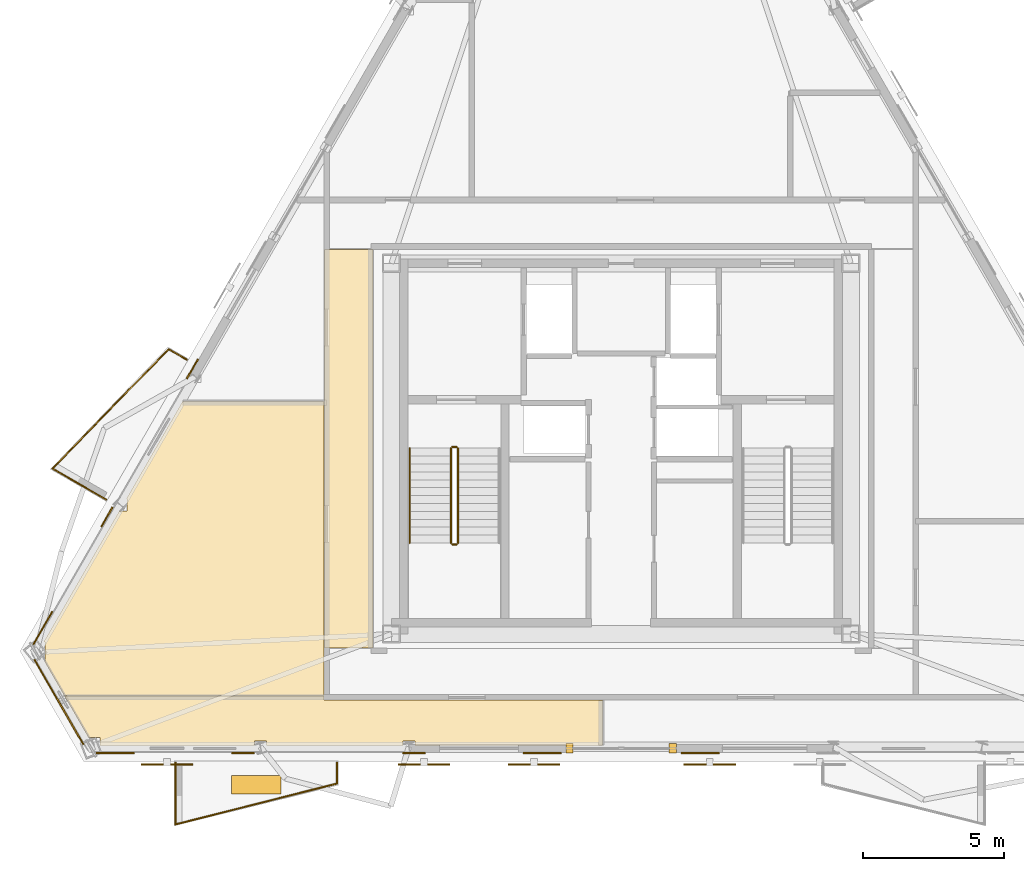
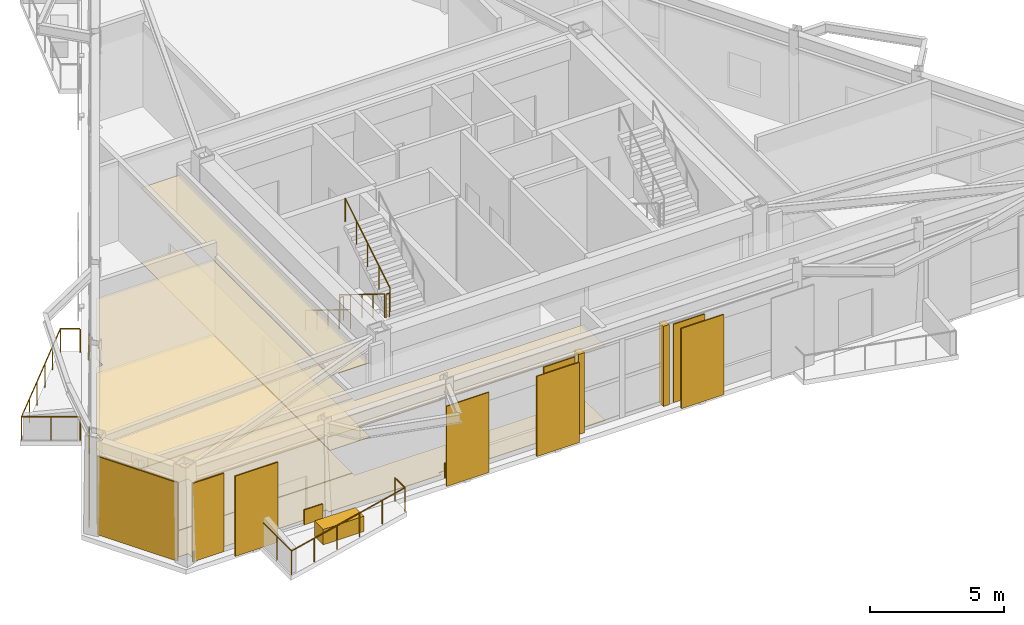
# One storey, part 13 of 16: 18 coverings, 11 railings, 4 shading devices.
"""IFC4 building model written with IfcOpenShell, lengths in metres."""

from ifc_helpers import new_model, si_unit, direction, frame, origin, origin_2d, place, context, subcontext, project, spatial, polyline, rectangle, circle, outline, extrude, material, layer, layer_set, type_object, element, save


model = new_model("IFC4")

# Units and contexts
model_context = context("Model", 3, precision=1e-05, world=origin(), true_north=direction((0.0, 1.0)))
body_context = subcontext(model_context, "Body", "Model", "MODEL_VIEW")
ifc_project = project(units=[si_unit("LENGTHUNIT", "METRE"), si_unit("AREAUNIT", "SQUARE_METRE"), si_unit("VOLUMEUNIT", "CUBIC_METRE"), si_unit("PLANEANGLEUNIT", "RADIAN"), si_unit("MASSUNIT", "GRAM", prefix="KILO")], contexts=[model_context])

# Site, building, storey
site_placement = place(None, origin())
site = spatial("IfcSite", under=ifc_project, at=site_placement, CompositionType="ELEMENT")
building_placement = place(site_placement, origin())
building = spatial("IfcBuilding", under=site, at=building_placement, Name="Oramaril Tower", CompositionType="ELEMENT")
storey_placement = place(building_placement, frame((0.0, 0.0, 296.699951171875)))
storey = spatial("IfcBuildingStorey", under=building, at=storey_placement, Name="L78", CompositionType="ELEMENT", Elevation=296.699951171875)

# Coverings
ifc_material_1 = material(Name="Mineral Fibre Acoustic Ceiling")
ifc_layer_1 = layer(ifc_material_1, 0.02001953125)
ifc_layer_set_1 = layer_set([ifc_layer_1], Name="CVT-CEIL")
covering_type_1 = type_object("IfcCoveringType", Name="CVT-CEIL", PredefinedType="CEILING", material=ifc_layer_set_1)
covering_1_placement = place(storey_placement, frame((0.0, 0.0, 3.412109375)))
element("IfcCovering", 1, at=covering_1_placement, inside=storey, type_object=covering_type_1, Name="L78 Acoustic Suspended Ceiling 3", PredefinedType="CEILING", context=body_context, shape_type="SweptSolid", body=[
    extrude(outline(polyline([(28.699951171875, 10.5), (26.969970703125, 10.5), (26.969970703125, 24.64990234375), (28.699951171875, 24.64990234375), (28.699951171875, 10.5)])), origin(), (0.0, 0.0, 1.0), 0.02001953125),
])
covering_2_placement = place(storey_placement, frame((0.0, 0.0, 3.412109375)))
element("IfcCovering", 2, at=covering_2_placement, inside=storey, type_object=covering_type_1, Name="L78 Acoustic Suspended Ceiling 5", PredefinedType="CEILING", context=body_context, shape_type="SweptSolid", body=[
    extrude(outline(polyline([(36.842041015625, 7.04931640625), (30.18359375, 7.04931640625), (30.18359375, 7.2041015625), (29.761962890625, 7.2041015625), (29.761962890625, 7.04931640625), (24.917724609375, 7.04931640625), (24.917724609375, 7.2041015625), (24.489990234375, 7.2041015625), (24.489990234375, 7.04931640625), (19.012939453125, 7.04931640625), (19.012939453125, 7.317626953125), (18.600341796875, 7.317626953125), (17.7490234375, 8.7919921875), (26.949951171875, 8.7919921875), (26.949951171875, 8.669921875), (26.9501953125, 8.66796875), (26.950439453125, 8.666015625), (26.950927734375, 8.664306640625), (26.951416015625, 8.662353515625), (26.952392578125, 8.66064453125), (26.953369140625, 8.658935546875), (26.95458984375, 8.6572265625), (26.955810546875, 8.656005859375), (26.957275390625, 8.654541015625), (26.958984375, 8.6533203125), (26.960693359375, 8.65234375), (26.96240234375, 8.651611328125), (26.964111328125, 8.65087890625), (26.966064453125, 8.650390625), (26.968017578125, 8.650146484375), (26.969970703125, 8.64990234375), (36.842041015625, 8.64990234375), (36.842041015625, 7.04931640625)])), origin(), (0.0, 0.0, 1.0), 0.02001953125),
])
covering_3_placement = place(storey_placement, frame((0.0, 0.0, 3.412109375)))
element("IfcCovering", 3, at=covering_3_placement, inside=storey, type_object=covering_type_1, Name="L78 Acoustic Suspended Ceiling 7", PredefinedType="CEILING", context=body_context, shape_type="SweptSolid", body=[
    extrude(outline(polyline([(17.037353515625, 10.02490234375), (17.05859375, 10.02490234375), (17.05859375, 10.7119140625), (17.01025390625, 10.7119140625), (19.69189453125, 15.3564453125), (19.957763671875, 15.3564453125), (19.957763671875, 15.810302734375), (19.953857421875, 15.810302734375), (21.93505859375, 19.241943359375), (26.949951171875, 19.241943359375), (26.949951171875, 10.5), (26.9501953125, 10.498046875), (26.950439453125, 10.49609375), (26.950927734375, 10.494140625), (26.951416015625, 10.4921875), (26.952392578125, 10.490478515625), (26.95263671875, 10.489990234375), (26.952392578125, 10.489501953125), (26.951416015625, 10.48779296875), (26.950927734375, 10.48583984375), (26.950439453125, 10.48388671875), (26.9501953125, 10.48193359375), (26.949951171875, 10.47998046875), (26.949951171875, 8.81201171875), (17.7490234375, 8.81201171875), (17.7470703125, 8.81201171875), (17.7451171875, 8.8115234375), (17.7431640625, 8.81103515625), (17.741455078125, 8.810302734375), (17.739501953125, 8.8095703125), (17.7392578125, 8.809326171875), (17.037353515625, 10.02490234375)])), origin(), (0.0, 0.0, 1.0), 0.02001953125),
])
ifc_material_2 = material(Name="Warm Cream Limestone", Category="masonry")
ifc_layer_2 = layer(ifc_material_2, 0.050048828125)
ifc_layer_set_2 = layer_set([ifc_layer_2], Name="CVT-CLD")
covering_type_2 = type_object("IfcCoveringType", Name="CVT-CLD", PredefinedType="CLADDING", material=ifc_layer_set_2)
covering_4_placement = place(storey_placement, frame((17.551513671875, 8.582763671875, 0.0400390625), z_axis=(0.0, 0.0, 1.0), x_axis=(0.499990930976, -0.866030639725, 0.0)))
element("IfcCovering", 4, at=covering_4_placement, inside=storey, type_object=covering_type_2, Name="L78 Warm Cream Limestone Cladding", PredefinedType="CLADDING", context=body_context, shape_type="SweptSolid", body=[
    extrude(rectangle(XDim=3.484375, YDim=0.050048828125, at=origin_2d()), origin(), (0.0, 0.0, 1.0), 3.577880859375),
])
for number, where, z_axis, x_axis, name in (
    (5, (35.669921875, 6.94140625, 0.0), (0.0, 0.0, 1.0), (1.0, 0.0, 0.0), "L78 Curtain Wall Limestone Jamb Closure"),
    (6, (39.330078125, 6.94140625, 0.0), (0.0, 0.0, 1.0), (1.0, 0.0, 0.0), "L78 Curtain Wall Limestone Jamb Closure"),
):
    element("IfcCovering", number, at=place(storey_placement, frame(where, z_axis=z_axis, x_axis=x_axis)), inside=storey, type_object=covering_type_2, Name=name, PredefinedType="CLADDING", context=body_context, shape_type="SweptSolid", body=[
        extrude(rectangle(XDim=0.260009765625, YDim=0.340087890625, at=origin_2d()), origin(), (0.0, 0.0, 1.0), 3.657958984375),
    ])
for number, where, z_axis, x_axis, name in (
    (7, (19.54296875, 6.7734375, 0.0400390625), (0.0, 0.0, 1.0), (1.0, 0.0, 0.0), "L78 Warm Cream Limestone Cladding"),
    (8, (34.699951171875, 6.7734375, 0.0400390625), (0.0, 0.0, 1.0), (1.0, 0.0, 0.0), "L78 Warm Cream Limestone Cladding"),
):
    element("IfcCovering", number, at=place(storey_placement, frame(where, z_axis=z_axis, x_axis=x_axis)), inside=storey, type_object=covering_type_2, Name=name, PredefinedType="CLADDING", context=body_context, shape_type="SweptSolid", body=[
        extrude(rectangle(XDim=1.35009765625, YDim=0.050048828125, at=origin_2d()), origin(), (0.0, 0.0, 1.0), 3.577880859375),
    ])
for number, where, z_axis, x_axis, name in (
    (9, (24.087158203125, 6.7734375, 0.0400390625), (0.0, 0.0, 1.0), (1.0, 0.0, 0.0), "L78 Warm Cream Limestone Spandrel Cladding"),
    (10, (30.15576171875, 6.7734375, 0.0400390625), (0.0, 0.0, 1.0), (1.0, 0.0, 0.0), "L78 Warm Cream Limestone Spandrel Cladding"),
):
    element("IfcCovering", number, at=place(storey_placement, frame(where, z_axis=z_axis, x_axis=x_axis)), inside=storey, type_object=covering_type_2, Name=name, PredefinedType="CLADDING", context=body_context, shape_type="SweptSolid", body=[
        extrude(rectangle(XDim=0.800048828125, YDim=0.050048828125, at=origin_2d()), origin(), (0.0, 0.0, 1.0), 0.679931640625),
    ])
for number, where, z_axis, x_axis, name in (
    (11, (40.300048828125, 6.7734375, 0.0400390625), (0.0, 0.0, 1.0), (1.0, 0.0, 0.0), "L78 Warm Cream Limestone Cladding"),
    (12, (16.980224609375, 11.2119140625, 0.0400390625), (0.0, 0.0, 1.0), (-0.5, -0.866025403784, 0.0), "L78 Warm Cream Limestone Cladding"),
):
    element("IfcCovering", number, at=place(storey_placement, frame(where, z_axis=z_axis, x_axis=x_axis)), inside=storey, type_object=covering_type_2, Name=name, PredefinedType="CLADDING", context=body_context, shape_type="SweptSolid", body=[
        extrude(rectangle(XDim=1.35009765625, YDim=0.050048828125, at=origin_2d()), origin(), (0.0, 0.0, 1.0), 3.577880859375),
    ])
for number, where, z_axis, x_axis, name in (
    (13, (22.286865234375, 20.403076171875, 0.0400390625), (0.0, 0.0, 1.0), (-0.5, -0.866025403784, 0.0), "L78 Warm Cream Limestone Spandrel Cladding"),
    (14, (19.25244140625, 15.1474609375, 0.0400390625), (0.0, 0.0, 1.0), (-0.5, -0.866025403784, 0.0), "L78 Warm Cream Limestone Spandrel Cladding"),
):
    element("IfcCovering", number, at=place(storey_placement, frame(where, z_axis=z_axis, x_axis=x_axis)), inside=storey, type_object=covering_type_2, Name=name, PredefinedType="CLADDING", context=body_context, shape_type="SweptSolid", body=[
        extrude(rectangle(XDim=0.800048828125, YDim=0.050048828125, at=origin_2d()), origin(), (0.0, 0.0, 1.0), 0.679931640625),
    ])
covering_5_placement = place(storey_placement, frame((24.55224609375, 5.64501953125, 0.0), z_axis=(0.0, 0.0, 1.0), x_axis=(1.0, 0.0, 0.0)))
element("IfcCovering", 15, at=covering_5_placement, inside=storey, type_object=covering_type_2, Name="L78 Structural Tree Planter Box L78-BAL-S1", PredefinedType="CLADDING", context=body_context, shape_type="SweptSolid", body=[
    extrude(rectangle(XDim=1.75, YDim=0.64990234375, at=origin_2d()), origin(), (0.0, 0.0, 1.0), 0.699951171875),
])
ifc_material_3 = material(Name="Honed Quartzite Stone Flooring", Category="masonry")
ifc_layer_3 = layer(ifc_material_3, 0.02490234375)
ifc_layer_set_3 = layer_set([ifc_layer_3], Name="CVT-FLR")
covering_type_3 = type_object("IfcCoveringType", Name="CVT-FLR", PredefinedType="FLOORING", material=ifc_layer_set_3)
covering_6_placement = place(storey_placement, origin())
element("IfcCovering", 16, at=covering_6_placement, inside=storey, type_object=covering_type_3, Name="L78 Honed Stone Floor Finish 3", PredefinedType="FLOORING", context=body_context, shape_type="SweptSolid", body=[
    extrude(outline(polyline([(28.699951171875, 10.5), (26.969970703125, 10.5), (26.969970703125, 24.64990234375), (28.699951171875, 24.64990234375), (28.699951171875, 10.5)])), origin(), (0.0, 0.0, 1.0), 0.025146484375),
])
covering_7_placement = place(storey_placement, origin())
element("IfcCovering", 17, at=covering_7_placement, inside=storey, type_object=covering_type_3, Name="L78 Honed Stone Floor Finish 5", PredefinedType="FLOORING", context=body_context, shape_type="SweptSolid", body=[
    extrude(outline(polyline([(36.842041015625, 7.04931640625), (30.18359375, 7.04931640625), (30.18359375, 7.2041015625), (29.761962890625, 7.2041015625), (29.761962890625, 7.04931640625), (24.917724609375, 7.04931640625), (24.917724609375, 7.2041015625), (24.489990234375, 7.2041015625), (24.489990234375, 7.04931640625), (19.012939453125, 7.04931640625), (19.012939453125, 7.317626953125), (18.600341796875, 7.317626953125), (17.7490234375, 8.7919921875), (26.949951171875, 8.7919921875), (26.949951171875, 8.669921875), (26.9501953125, 8.66796875), (26.950439453125, 8.666015625), (26.950927734375, 8.664306640625), (26.951416015625, 8.662353515625), (26.952392578125, 8.66064453125), (26.953369140625, 8.658935546875), (26.95458984375, 8.6572265625), (26.955810546875, 8.656005859375), (26.957275390625, 8.654541015625), (26.958984375, 8.6533203125), (26.960693359375, 8.65234375), (26.96240234375, 8.651611328125), (26.964111328125, 8.65087890625), (26.966064453125, 8.650390625), (26.968017578125, 8.650146484375), (26.969970703125, 8.64990234375), (36.842041015625, 8.64990234375), (36.842041015625, 7.04931640625)])), origin(), (0.0, 0.0, 1.0), 0.025146484375),
])
covering_8_placement = place(storey_placement, origin())
element("IfcCovering", 18, at=covering_8_placement, inside=storey, type_object=covering_type_3, Name="L78 Honed Stone Floor Finish 7", PredefinedType="FLOORING", context=body_context, shape_type="SweptSolid", body=[
    extrude(outline(polyline([(17.037353515625, 10.02490234375), (17.05859375, 10.02490234375), (17.05859375, 10.7119140625), (17.01025390625, 10.7119140625), (19.69189453125, 15.3564453125), (19.957763671875, 15.3564453125), (19.957763671875, 15.810302734375), (19.953857421875, 15.810302734375), (21.93505859375, 19.241943359375), (26.949951171875, 19.241943359375), (26.949951171875, 10.5), (26.9501953125, 10.498046875), (26.950439453125, 10.49609375), (26.950927734375, 10.494140625), (26.951416015625, 10.4921875), (26.952392578125, 10.490478515625), (26.95263671875, 10.489990234375), (26.952392578125, 10.489501953125), (26.951416015625, 10.48779296875), (26.950927734375, 10.48583984375), (26.950439453125, 10.48388671875), (26.9501953125, 10.48193359375), (26.949951171875, 10.47998046875), (26.949951171875, 8.81201171875), (17.7490234375, 8.81201171875), (17.7470703125, 8.81201171875), (17.7451171875, 8.8115234375), (17.7431640625, 8.81103515625), (17.741455078125, 8.810302734375), (17.739501953125, 8.8095703125), (17.7392578125, 8.809326171875), (17.037353515625, 10.02490234375)])), origin(), (0.0, 0.0, 1.0), 0.025146484375),
])

# Railings
ifc_material_4 = material(Name="Stainless Steel 316L", Category="steel")
railing_type_1 = type_object("IfcRailingType", Name="RLT-GRD", PredefinedType="GUARDRAIL", material=ifc_material_4)
railing_1_placement = place(storey_placement, frame((27.417236328125, 6.433349609375, 0.0)))
element("IfcRailing", 19, at=railing_1_placement, inside=storey, type_object=railing_type_1, Name="L78 Balcony Guardrail L78-BAL-S1.1", PredefinedType="GUARDRAIL", context=body_context, shape_type="SweptSolid", body=[
    extrude(circle(Radius=0.02392578125, at=origin_2d()), frame((0.0, 0.0, 1.076171875), z_axis=(0.0, -1.0, 0.0), x_axis=(1.0, 0.0, 0.0)), (0.0, 0.0, 1.0), 0.741943359375),
    extrude(circle(Radius=0.02099609375, at=origin_2d()), origin(), (0.0, 0.0, 1.0), 1.052001953125),
    extrude(circle(Radius=0.02099609375, at=origin_2d()), frame((0.0, -0.741943359375, 0.0)), (0.0, 0.0, 1.0), 1.052001953125),
])
railing_2_placement = place(storey_placement, frame((27.417236328125, 5.69140625, 0.0)))
element("IfcRailing", 20, at=railing_2_placement, inside=storey, type_object=railing_type_1, Name="L78 Balcony Guardrail L78-BAL-S1.2", PredefinedType="GUARDRAIL", context=body_context, shape_type="SweptSolid", body=[
    extrude(circle(Radius=0.02392578125, at=origin_2d()), frame((0.0, 0.0, 1.076171875), z_axis=(-0.969443611257, -0.245314256807, 0.0), x_axis=(0.245314256807, -0.969443611257, 0.0)), (0.0, 0.0, 1.0), 5.91064453125),
    extrude(circle(Radius=0.02099609375, at=origin_2d()), origin(), (0.0, 0.0, 1.0), 1.052001953125),
    extrude(circle(Radius=0.02099609375, at=origin_2d()), frame((-1.14599609375, -0.2900390625, 0.0)), (0.0, 0.0, 1.0), 1.052001953125),
    extrude(circle(Radius=0.02099609375, at=origin_2d()), frame((-2.2919921875, -0.580078125, 0.0)), (0.0, 0.0, 1.0), 1.052001953125),
    extrude(circle(Radius=0.02099609375, at=origin_2d()), frame((-3.43798828125, -0.869873046875, 0.0)), (0.0, 0.0, 1.0), 1.052001953125),
    extrude(circle(Radius=0.02099609375, at=origin_2d()), frame((-4.583984375, -1.159912109375, 0.0)), (0.0, 0.0, 1.0), 1.052001953125),
    extrude(circle(Radius=0.02099609375, at=origin_2d()), frame((-5.72998046875, -1.449951171875, 0.0)), (0.0, 0.0, 1.0), 1.052001953125),
])
railing_3_placement = place(storey_placement, frame((21.687255859375, 4.241455078125, 0.0)))
element("IfcRailing", 21, at=railing_3_placement, inside=storey, type_object=railing_type_1, Name="L78 Balcony Guardrail L78-BAL-S1.3", PredefinedType="GUARDRAIL", context=body_context, shape_type="SweptSolid", body=[
    extrude(circle(Radius=0.02392578125, at=origin_2d()), frame((0.0, 0.0, 1.076171875), z_axis=(0.0, 1.0, 0.0), x_axis=(-1.0, 0.0, 0.0)), (0.0, 0.0, 1.0), 2.19189453125),
    extrude(circle(Radius=0.02099609375, at=origin_2d()), origin(), (0.0, 0.0, 1.0), 1.052001953125),
    extrude(circle(Radius=0.02099609375, at=origin_2d()), frame((0.0, 1.095947265625, 0.0)), (0.0, 0.0, 1.0), 1.052001953125),
    extrude(circle(Radius=0.02099609375, at=origin_2d()), frame((0.0, 2.19189453125, 0.0)), (0.0, 0.0, 1.0), 1.052001953125),
])
railing_4_placement = place(storey_placement, frame((19.220458984375, 15.772216796875, 0.0)))
element("IfcRailing", 22, at=railing_4_placement, inside=storey, type_object=railing_type_1, Name="L78 Balcony Guardrail L78-BAL-NW2.1", PredefinedType="GUARDRAIL", context=body_context, shape_type="SweptSolid", body=[
    extrude(circle(Radius=0.02392578125, at=origin_2d()), frame((0.0, 0.0, 1.076171875), z_axis=(-0.865972267571, 0.50009202333, 0.0), x_axis=(-0.50009202333, -0.865972267571, 0.0)), (0.0, 0.0, 1.0), 2.19189453125),
    extrude(circle(Radius=0.02099609375, at=origin_2d()), origin(), (0.0, 0.0, 1.0), 1.052001953125),
    extrude(circle(Radius=0.02099609375, at=origin_2d()), frame((-0.94921875, 0.548095703125, 0.0)), (0.0, 0.0, 1.0), 1.052001953125),
    extrude(circle(Radius=0.02099609375, at=origin_2d()), frame((-1.898193359375, 1.09619140625, 0.0)), (0.0, 0.0, 1.0), 1.052001953125),
])
railing_5_placement = place(storey_placement, frame((17.322265625, 16.868408203125, 0.0)))
element("IfcRailing", 23, at=railing_5_placement, inside=storey, type_object=railing_type_1, Name="L78 Balcony Guardrail L78-BAL-NW2.2", PredefinedType="GUARDRAIL", context=body_context, shape_type="SweptSolid", body=[
    extrude(circle(Radius=0.02392578125, at=origin_2d()), frame((0.0, 0.0, 1.076171875), z_axis=(0.697186915353, 0.716889395277, 0.0), x_axis=(-0.716889395277, 0.697186915353, 0.0)), (0.0, 0.0, 1.0), 5.91064453125),
    extrude(circle(Radius=0.02099609375, at=origin_2d()), origin(), (0.0, 0.0, 1.0), 1.052001953125),
    extrude(circle(Radius=0.02099609375, at=origin_2d()), frame((0.82421875, 0.847412109375, 0.0)), (0.0, 0.0, 1.0), 1.052001953125),
    extrude(circle(Radius=0.02099609375, at=origin_2d()), frame((1.6484375, 1.69482421875, 0.0)), (0.0, 0.0, 1.0), 1.052001953125),
    extrude(circle(Radius=0.02099609375, at=origin_2d()), frame((2.472412109375, 2.54248046875, 0.0)), (0.0, 0.0, 1.0), 1.052001953125),
    extrude(circle(Radius=0.02099609375, at=origin_2d()), frame((3.296630859375, 3.389892578125, 0.0)), (0.0, 0.0, 1.0), 1.052001953125),
    extrude(circle(Radius=0.02099609375, at=origin_2d()), frame((4.120849609375, 4.2373046875, 0.0)), (0.0, 0.0, 1.0), 1.052001953125),
])
railing_6_placement = place(storey_placement, frame((21.443115234375, 21.105712890625, 0.0)))
element("IfcRailing", 24, at=railing_6_placement, inside=storey, type_object=railing_type_1, Name="L78 Balcony Guardrail L78-BAL-NW2.3", PredefinedType="GUARDRAIL", context=body_context, shape_type="SweptSolid", body=[
    extrude(circle(Radius=0.02392578125, at=origin_2d()), frame((0.0, 0.0, 1.076171875), z_axis=(0.865884080729, -0.500244698863, 0.0), x_axis=(0.500244698863, 0.865884080729, 0.0)), (0.0, 0.0, 1.0), 0.741943359375),
    extrude(circle(Radius=0.02099609375, at=origin_2d()), origin(), (0.0, 0.0, 1.0), 1.052001953125),
    extrude(circle(Radius=0.02099609375, at=origin_2d()), frame((0.642333984375, -0.37109375, 0.0)), (0.0, 0.0, 1.0), 1.052001953125),
])
railing_7_placement = place(storey_placement, frame((31.4599609375, 17.590087890625, 0.173095703125)))
element("IfcRailing", 25, at=railing_7_placement, inside=storey, type_object=railing_type_1, Name="L78 ST-1 stair guard 1", PredefinedType="GUARDRAIL", context=body_context, shape_type="SweptSolid", body=[
    extrude(circle(Radius=0.02392578125, at=origin_2d()), frame((0.0, 0.0, 1.076171875), z_axis=(0.0, -0.850623216509, 0.525775754039), x_axis=(1.0, 0.0, 0.0)), (0.0, 0.0, 1.0), 3.9501953125),
    extrude(circle(Radius=0.02099609375, at=origin_2d()), origin(), (0.0, 0.0, 1.0), 1.052001953125),
    extrude(circle(Radius=0.02099609375, at=origin_2d()), frame((0.0, -0.840087890625, 0.519287109375)), (0.0, 0.0, 1.0), 1.052001953125),
    extrude(circle(Radius=0.02099609375, at=origin_2d()), frame((0.0, -1.68017578125, 1.03857421875)), (0.0, 0.0, 1.0), 1.052001953125),
    extrude(circle(Radius=0.02099609375, at=origin_2d()), frame((0.0, -2.52001953125, 1.5576171875)), (0.0, 0.0, 1.0), 1.052001953125),
    extrude(circle(Radius=0.02099609375, at=origin_2d()), frame((0.0, -3.360107421875, 2.076904296875)), (0.0, 0.0, 1.0), 1.052001953125),
])
railing_8_placement = place(storey_placement, frame((31.510009765625, 14.179931640625, 2.25)))
element("IfcRailing", 26, at=railing_8_placement, inside=storey, type_object=railing_type_1, Name="L78 ST-1 stair guard 2", PredefinedType="GUARDRAIL", context=body_context, shape_type="SweptSolid", body=[
    extrude(circle(Radius=0.02392578125, at=origin_2d()), frame((0.0, 0.0, 1.076171875), z_axis=(1.0, 0.0, 0.0), x_axis=(0.0, 1.0, 0.0)), (0.0, 0.0, 1.0), 0.14990234375),
    extrude(circle(Radius=0.02099609375, at=origin_2d()), origin(), (0.0, 0.0, 1.0), 1.052001953125),
    extrude(circle(Radius=0.02099609375, at=origin_2d()), frame((0.14990234375, 0.0, 0.0)), (0.0, 0.0, 1.0), 1.052001953125),
])
railing_9_placement = place(storey_placement, frame((31.7099609375, 14.22998046875, 2.423095703125)))
element("IfcRailing", 27, at=railing_9_placement, inside=storey, type_object=railing_type_1, Name="L78 ST-1 stair guard 3", PredefinedType="GUARDRAIL", context=body_context, shape_type="SweptSolid", body=[
    extrude(circle(Radius=0.02392578125, at=origin_2d()), frame((0.0, 0.0, 1.076171875), z_axis=(0.0, 0.850623216509, 0.525775754039), x_axis=(-1.0, 0.0, 0.0)), (0.0, 0.0, 1.0), 3.9501953125),
    extrude(circle(Radius=0.02099609375, at=origin_2d()), origin(), (0.0, 0.0, 1.0), 1.052001953125),
    extrude(circle(Radius=0.02099609375, at=origin_2d()), frame((0.0, 0.840087890625, 0.519287109375)), (0.0, 0.0, 1.0), 1.052001953125),
    extrude(circle(Radius=0.02099609375, at=origin_2d()), frame((0.0, 1.68017578125, 1.03857421875)), (0.0, 0.0, 1.0), 1.052001953125),
    extrude(circle(Radius=0.02099609375, at=origin_2d()), frame((0.0, 2.52001953125, 1.5576171875)), (0.0, 0.0, 1.0), 1.052001953125),
    extrude(circle(Radius=0.02099609375, at=origin_2d()), frame((0.0, 3.360107421875, 2.076904296875)), (0.0, 0.0, 1.0), 1.052001953125),
])
railing_10_placement = place(storey_placement, frame((31.510009765625, 17.639892578125, 0.0)))
element("IfcRailing", 28, at=railing_10_placement, inside=storey, type_object=railing_type_1, Name="L78 ST-1 stair guard 4", PredefinedType="GUARDRAIL", context=body_context, shape_type="SweptSolid", body=[
    extrude(circle(Radius=0.02392578125, at=origin_2d()), frame((0.0, 0.0, 1.076171875), z_axis=(1.0, 0.0, 0.0), x_axis=(0.0, 1.0, 0.0)), (0.0, 0.0, 1.0), 0.14990234375),
    extrude(circle(Radius=0.02099609375, at=origin_2d()), origin(), (0.0, 0.0, 1.0), 1.052001953125),
    extrude(circle(Radius=0.02099609375, at=origin_2d()), frame((0.14990234375, 0.0, 0.0)), (0.0, 0.0, 1.0), 1.052001953125),
])
ifc_material_5 = material(Name="Stainless Steel 316L", Category="steel")
railing_type_2 = type_object("IfcRailingType", Name="RLT-HND", PredefinedType="HANDRAIL", material=ifc_material_5)
railing_11_placement = place(storey_placement, frame((30.0, 17.590087890625, 0.173095703125)))
element("IfcRailing", 29, at=railing_11_placement, inside=storey, type_object=railing_type_2, Name="L78 ST-1 stair handrail 1", PredefinedType="HANDRAIL", context=body_context, shape_type="SweptSolid", body=[
    extrude(circle(Radius=0.02392578125, at=origin_2d()), frame((0.0, 0.0, 0.8759765625), z_axis=(0.0, -0.850623216509, 0.525775754039), x_axis=(1.0, 0.0, 0.0)), (0.0, 0.0, 1.0), 3.9501953125),
    extrude(circle(Radius=0.02099609375, at=origin_2d()), origin(), (0.0, 0.0, 1.0), 0.851806640625),
    extrude(circle(Radius=0.02099609375, at=origin_2d()), frame((0.0, -0.840087890625, 0.519287109375)), (0.0, 0.0, 1.0), 0.851806640625),
    extrude(circle(Radius=0.02099609375, at=origin_2d()), frame((0.0, -1.68017578125, 1.03857421875)), (0.0, 0.0, 1.0), 0.851806640625),
    extrude(circle(Radius=0.02099609375, at=origin_2d()), frame((0.0, -2.52001953125, 1.5576171875)), (0.0, 0.0, 1.0), 0.851806640625),
    extrude(circle(Radius=0.02099609375, at=origin_2d()), frame((0.0, -3.360107421875, 2.076904296875)), (0.0, 0.0, 1.0), 0.851806640625),
])

# Shading devices
for number, where, z_axis, x_axis, name in (
    (30, (21.387451171875, 6.361328125, -0.02001953125), (0.0, 0.0, 1.0), (1.0, 0.0, 0.0), "L78 Perforated Ceramic Solar Screen"),
    (31, (30.50537109375, 6.361328125, -0.02001953125), (0.0, 0.0, 1.0), (1.0, 0.0, 0.0), "L78 Perforated Ceramic Solar Screen"),
    (32, (34.405517578125, 6.361328125, -0.02001953125), (0.0, 0.0, 1.0), (1.0, 0.0, 0.0), "L78 Perforated Ceramic Solar Screen"),
    (33, (40.64453125, 6.361328125, -0.02001953125), (0.0, 0.0, 1.0), (1.0, 0.0, 0.0), "L78 Perforated Ceramic Solar Screen"),
):
    element("IfcShadingDevice", number, at=place(storey_placement, frame(where, z_axis=z_axis, x_axis=x_axis)), inside=storey, Name=name, ObjectType="SCREEN", PredefinedType="USERDEFINED", context=body_context, shape_type="SweptSolid", body=[
        extrude(rectangle(XDim=1.8330078125, YDim=0.050048828125, at=origin_2d()), origin(), (0.0, 0.0, 1.0), 3.657958984375),
    ])

save(model, "model.ifc")
